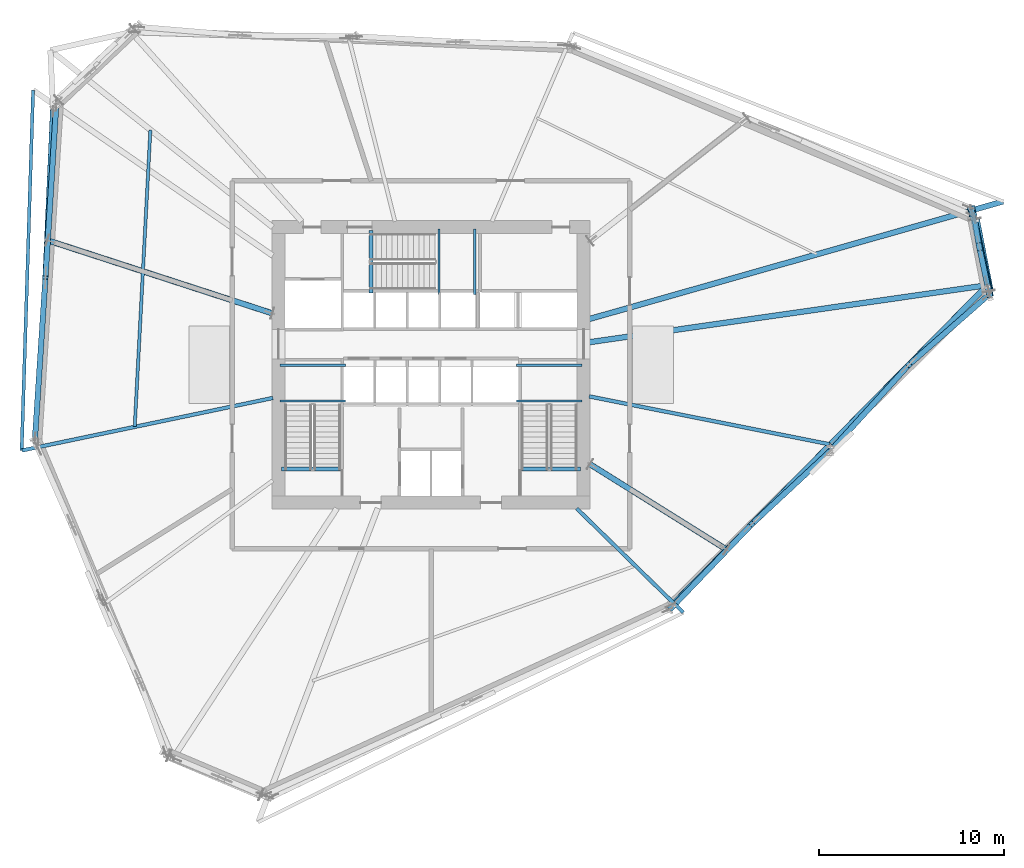
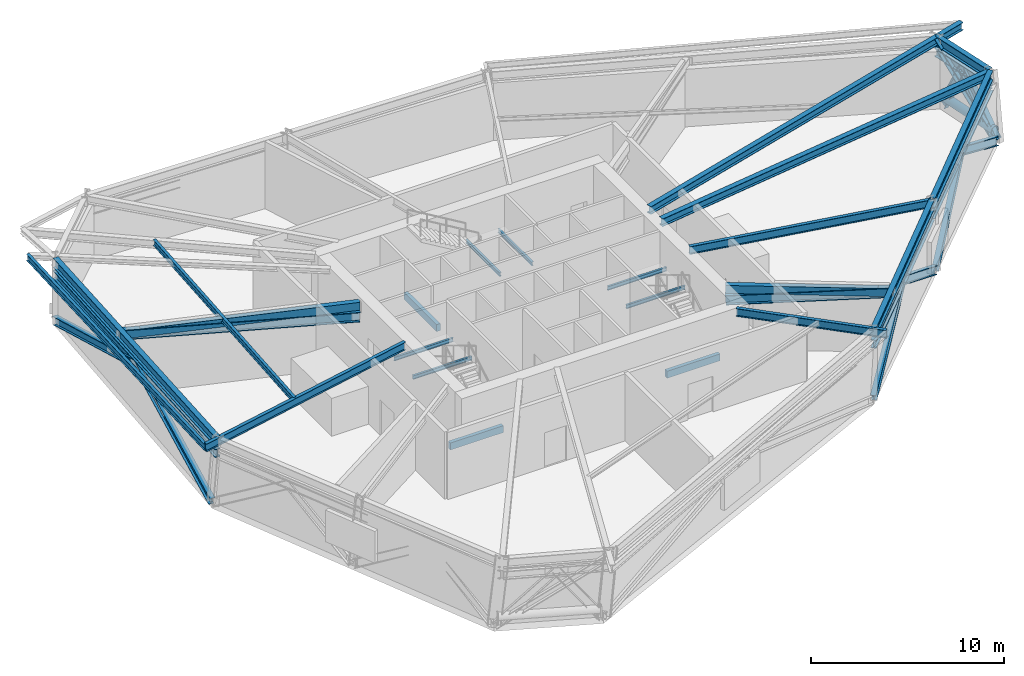
# One storey, part 2 of 15: 20 beams, 18 members.
"""IFC4 building model written with IfcOpenShell, lengths in metres."""

from ifc_helpers import new_model, si_unit, direction, frame, origin, origin_2d, place, context, subcontext, project, spatial, rectangle, hollow_rectangle, hollow_circle, i_section, extrude, source, transform, mapped, material, material_profile, profile_set, type_object, element, save


model = new_model("IFC4")

# Units and contexts
model_context = context("Model", 3, precision=1e-05, world=origin(), true_north=direction((0.0, 1.0)))
body_context = subcontext(model_context, "Body", "Model", "MODEL_VIEW")
ifc_project = project(units=[si_unit("LENGTHUNIT", "METRE"), si_unit("AREAUNIT", "SQUARE_METRE"), si_unit("VOLUMEUNIT", "CUBIC_METRE"), si_unit("PLANEANGLEUNIT", "RADIAN"), si_unit("MASSUNIT", "GRAM", prefix="KILO")], contexts=[model_context])

# Site, building, storey
site_placement = place(None, origin())
site = spatial("IfcSite", under=ifc_project, at=site_placement, CompositionType="ELEMENT")
building_placement = place(site_placement, origin())
building = spatial("IfcBuilding", under=site, at=building_placement, Name="Olszyna Solenne Hotel", CompositionType="ELEMENT")
storey_placement = place(building_placement, frame((0.0, 0.0, 79.89990234375)))
storey = spatial("IfcBuildingStorey", under=building, at=storey_placement, Name="L20", CompositionType="ELEMENT", Elevation=79.89990234375)

# Beams
ifc_material_1 = material(Name="Steel S355J2", Category="steel")
ifc_material_profile_1 = material_profile(ifc_material_1, i_section(OverallWidth=0.300048828125, OverallDepth=0.60009765625, WebThickness=0.015380859375, FlangeThickness=0.030029296875, at=origin_2d()), Name="HEB 600", Category="load-bearing")
ifc_profile_set_1 = profile_set([ifc_material_profile_1], Name="Steel S355J2")
beam_type_1 = type_object("IfcBeamType", Name="BM-S2", PredefinedType="BEAM", material=ifc_profile_set_1)
shared_shape_1 = source(origin(), body_context, "Body", "SweptSolid", [
    extrude(i_section(OverallWidth=0.300048828125, OverallDepth=0.60009765625, WebThickness=0.015380859375, FlangeThickness=0.030029296875, at=origin_2d()), origin(), (0.0, 0.0, 1.0), 4.12841796875),
])
beam_1_placement = place(storey_placement, frame((68.06884765625, 30.969970703125, 3.9501953125), z_axis=(-0.205375639046, 0.978683220908, 0.0), x_axis=(-0.978683220908, -0.205375639046, 0.0)))
element("IfcBeam", 1, at=beam_1_placement, inside=storey, type_object=beam_type_1, Name="Perimeter spandrel beam BM-S2 B-L20-0600", PredefinedType="BEAM", context=body_context, shape_type="MappedRepresentation", body=[
    mapped(shared_shape_1, transform((0.0, 0.0, 0.0), x_axis=(1.0, 0.0, 0.0), y_axis=(0.0, 1.0, 0.0), z_axis=(0.0, 0.0, 1.0), scale=1.0)),
])
shared_shape_2 = source(origin(), body_context, "Body", "SweptSolid", [
    extrude(i_section(OverallWidth=0.300048828125, OverallDepth=0.60009765625, WebThickness=0.015380859375, FlangeThickness=0.030029296875, at=origin_2d()), origin(), (0.0, 0.0, 1.0), 18.228271484375),
])
beam_2_placement = place(storey_placement, frame((17.564208984375, 40.425537109375, 3.9501953125), z_axis=(-0.045390649757, -0.9989693133, 0.0), x_axis=(0.9989693133, -0.045390649757, 0.0)))
element("IfcBeam", 2, at=beam_2_placement, inside=storey, type_object=beam_type_1, Name="Perimeter spandrel beam BM-S2 B-L20-0605", PredefinedType="BEAM", context=body_context, shape_type="MappedRepresentation", body=[
    mapped(shared_shape_2, transform((0.0, 0.0, 0.0), x_axis=(1.0, 0.0, 0.0), y_axis=(0.0, 1.0, 0.0), z_axis=(0.0, 0.0, 1.0), scale=1.0)),
])
shared_shape_3 = source(origin(), body_context, "Body", "SweptSolid", [
    extrude(i_section(OverallWidth=0.300048828125, OverallDepth=0.60009765625, WebThickness=0.015380859375, FlangeThickness=0.030029296875, at=origin_2d()), origin(), (0.0, 0.0, 1.0), 11.971923828125),
])
beam_3_placement = place(storey_placement, frame((51.147216796875, 13.729736328125, 3.9501953125), z_axis=(0.701959403136, 0.712216958763, 0.0), x_axis=(-0.712216958763, 0.701959403136, 0.0)))
element("IfcBeam", 3, at=beam_3_placement, inside=storey, type_object=beam_type_1, Name="Perimeter spandrel beam BM-S2 B-L20-0610", PredefinedType="BEAM", context=body_context, shape_type="MappedRepresentation", body=[
    mapped(shared_shape_3, transform((0.0, 0.0, 0.0), x_axis=(1.0, 0.0, 0.0), y_axis=(0.0, 1.0, 0.0), z_axis=(0.0, 0.0, 1.0), scale=1.0)),
])
shared_shape_4 = source(origin(), body_context, "Body", "SweptSolid", [
    extrude(i_section(OverallWidth=0.300048828125, OverallDepth=0.60009765625, WebThickness=0.015380859375, FlangeThickness=0.030029296875, at=origin_2d()), origin(), (0.0, 0.0, 1.0), 11.97216796875),
])
beam_4_placement = place(storey_placement, frame((59.63525390625, 22.341796875, 3.9501953125), z_axis=(0.701949207908, 0.712227007012, 0.0), x_axis=(-0.712227007012, 0.701949207908, 0.0)))
element("IfcBeam", 4, at=beam_4_placement, inside=storey, type_object=beam_type_1, Name="Perimeter spandrel beam BM-S2 B-L20-0611", PredefinedType="BEAM", context=body_context, shape_type="MappedRepresentation", body=[
    mapped(shared_shape_4, transform((0.0, 0.0, 0.0), x_axis=(1.0, 0.0, 0.0), y_axis=(0.0, 1.0, 0.0), z_axis=(0.0, 0.0, 1.0), scale=1.0)),
])
ifc_material_profile_2 = material_profile(ifc_material_1, i_section(OverallWidth=0.300048828125, OverallDepth=0.489990234375, WebThickness=0.011962890625, FlangeThickness=0.02294921875, at=origin_2d()), Name="HEA 500", Category="load-bearing")
ifc_profile_set_2 = profile_set([ifc_material_profile_2], Name="Steel S355J2")
beam_type_2 = type_object("IfcBeamType", Name="BM-G1", PredefinedType="BEAM", material=ifc_profile_set_2)
shared_shape_5 = source(origin(), body_context, "Body", "SweptSolid", [
    extrude(i_section(OverallWidth=0.300048828125, OverallDepth=0.489990234375, WebThickness=0.011962890625, FlangeThickness=0.02294921875, at=origin_2d()), origin(), (0.0, 0.0, 1.0), 21.690673828125),
])
beam_5_placement = place(storey_placement, frame((68.021728515625, 30.90283203125, 4.005126953125), z_axis=(-0.989884331589, -0.141876742543, 0.0), x_axis=(0.141876742543, -0.989884331589, 0.0)))
element("IfcBeam", 5, at=beam_5_placement, inside=storey, type_object=beam_type_2, Name="Radial floor girder BM-G1 B-L20-0612", PredefinedType="BEAM", context=body_context, shape_type="MappedRepresentation", body=[
    mapped(shared_shape_5, transform((0.0, 0.0, 0.0), x_axis=(1.0, 0.0, 0.0), y_axis=(0.0, 1.0, 0.0), z_axis=(0.0, 0.0, 1.0), scale=1.0)),
])
shared_shape_6 = source(origin(), body_context, "Body", "SweptSolid", [
    extrude(i_section(OverallWidth=0.300048828125, OverallDepth=0.489990234375, WebThickness=0.011962890625, FlangeThickness=0.02294921875, at=origin_2d()), origin(), (0.0, 0.0, 1.0), 23.2646484375),
])
beam_6_placement = place(storey_placement, frame((68.930908203125, 35.4375, 4.005126953125), z_axis=(-0.961932348, -0.27328768335, 0.0), x_axis=(0.27328768335, -0.961932348, 0.0)))
element("IfcBeam", 6, at=beam_6_placement, inside=storey, type_object=beam_type_2, Name="Radial floor girder BM-G1 B-L20-0613", PredefinedType="BEAM", context=body_context, shape_type="MappedRepresentation", body=[
    mapped(shared_shape_6, transform((0.0, 0.0, 0.0), x_axis=(1.0, 0.0, 0.0), y_axis=(0.0, 1.0, 0.0), z_axis=(0.0, 0.0, 1.0), scale=1.0)),
])
ifc_material_profile_3 = material_profile(ifc_material_1, i_section(OverallWidth=0.199951171875, OverallDepth=0.5, WebThickness=0.01025390625, FlangeThickness=0.01611328125, at=origin_2d()), Name="IPE 500", Category="load-bearing")
ifc_profile_set_3 = profile_set([ifc_material_profile_3], Name="Steel S355J2")
beam_type_3 = type_object("IfcBeamType", Name="BM-F3", PredefinedType="BEAM", material=ifc_profile_set_3)
shared_shape_7 = source(origin(), body_context, "Body", "SweptSolid", [
    extrude(i_section(OverallWidth=0.199951171875, OverallDepth=0.5, WebThickness=0.01025390625, FlangeThickness=0.01611328125, at=origin_2d()), origin(), (0.0, 0.0, 1.0), 13.859619140625),
])
beam_7_placement = place(storey_placement, frame((15.88330078125, 21.973388671875, 4.0), z_axis=(0.978786682195, 0.204881992272, 0.0), x_axis=(-0.204881992272, 0.978786682195, 0.0)))
element("IfcBeam", 7, at=beam_7_placement, inside=storey, type_object=beam_type_3, Name="Radial floor girder BM-F3 B-L20-0618", PredefinedType="BEAM", context=body_context, shape_type="MappedRepresentation", body=[
    mapped(shared_shape_7, transform((0.0, 0.0, 0.0), x_axis=(1.0, 0.0, 0.0), y_axis=(0.0, 1.0, 0.0), z_axis=(0.0, 0.0, 1.0), scale=1.0)),
])
shared_shape_8 = source(origin(), body_context, "Body", "SweptSolid", [
    extrude(i_section(OverallWidth=0.199951171875, OverallDepth=0.5, WebThickness=0.01025390625, FlangeThickness=0.01611328125, at=origin_2d()), origin(), (0.0, 0.0, 1.0), 8.0400390625),
])
beam_8_placement = place(storey_placement, frame((51.632568359375, 13.2177734375, 4.0), z_axis=(-0.715423125976, 0.698691456094, 0.0), x_axis=(-0.698691456094, -0.715423125976, 0.0)))
element("IfcBeam", 8, at=beam_8_placement, inside=storey, type_object=beam_type_3, Name="Radial floor girder BM-F3 B-L20-0622", PredefinedType="BEAM", context=body_context, shape_type="MappedRepresentation", body=[
    mapped(shared_shape_8, transform((0.0, 0.0, 0.0), x_axis=(1.0, 0.0, 0.0), y_axis=(0.0, 1.0, 0.0), z_axis=(0.0, 0.0, 1.0), scale=1.0)),
])
shared_shape_9 = source(origin(), body_context, "Body", "SweptSolid", [
    extrude(i_section(OverallWidth=0.199951171875, OverallDepth=0.5, WebThickness=0.01025390625, FlangeThickness=0.01611328125, at=origin_2d()), origin(), (0.0, 0.0, 1.0), 13.238525390625),
])
beam_9_placement = place(storey_placement, frame((59.534423828125, 22.310791015625, 4.0), z_axis=(-0.980736411519, 0.195335841873, 0.0), x_axis=(-0.195335841873, -0.980736411519, 0.0)))
element("IfcBeam", 9, at=beam_9_placement, inside=storey, type_object=beam_type_3, Name="Radial floor girder BM-F3 B-L20-0623", PredefinedType="BEAM", context=body_context, shape_type="MappedRepresentation", body=[
    mapped(shared_shape_9, transform((0.0, 0.0, 0.0), x_axis=(1.0, 0.0, 0.0), y_axis=(0.0, 1.0, 0.0), z_axis=(0.0, 0.0, 1.0), scale=1.0)),
])
ifc_material_profile_4 = material_profile(ifc_material_1, i_section(OverallWidth=0.169921875, OverallDepth=0.360107421875, WebThickness=0.008056640625, FlangeThickness=0.0126953125, at=origin_2d()), Name="IPE 360", Category="load-bearing")
ifc_profile_set_4 = profile_set([ifc_material_profile_4], Name="Steel S355J2")
beam_type_4 = type_object("IfcBeamType", Name="JS-01", PredefinedType="JOIST", material=ifc_profile_set_4)
shared_shape_10 = source(origin(), body_context, "Body", "SweptSolid", [
    extrude(i_section(OverallWidth=0.169921875, OverallDepth=0.360107421875, WebThickness=0.008056640625, FlangeThickness=0.0126953125, at=origin_2d()), origin(), (0.0, 0.0, 1.0), 16.045166015625),
])
beam_10_placement = place(storey_placement, frame((22.822998046875, 39.2919921875, 4.070068359375), z_axis=(-0.052661854681, -0.998612401816, 0.0), x_axis=(0.998612401816, -0.052661854681, 0.0)))
element("IfcBeam", 10, at=beam_10_placement, inside=storey, type_object=beam_type_4, Name="Secondary composite floor joist JS-01 B-L20-0628", PredefinedType="JOIST", context=body_context, shape_type="MappedRepresentation", body=[
    mapped(shared_shape_10, transform((0.0, 0.0, 0.0), x_axis=(1.0, 0.0, 0.0), y_axis=(0.0, 1.0, 0.0), z_axis=(0.0, 0.0, 1.0), scale=1.0)),
])
ifc_material_profile_5 = material_profile(ifc_material_1, i_section(OverallWidth=0.179931640625, OverallDepth=0.39990234375, WebThickness=0.008544921875, FlangeThickness=0.013427734375, at=origin_2d()), Name="IPE 400", Category="load-bearing")
ifc_profile_set_5 = profile_set([ifc_material_profile_5], Name="Steel S355J2")
beam_type_5 = type_object("IfcBeamType", Name="BM-F5", PredefinedType="BEAM", material=ifc_profile_set_5)
shared_shape_11 = source(origin(), body_context, "Body", "SweptSolid", [
    extrude(i_section(OverallWidth=0.179931640625, OverallDepth=0.39990234375, WebThickness=0.008544921875, FlangeThickness=0.013427734375, at=origin_2d()), origin(), (0.0, 0.0, 1.0), 19.492431640625),
])
beam_11_placement = place(storey_placement, frame((16.483642578125, 41.451904296875, 4.050048828125), z_axis=(-0.031813064302, -0.999493836369, 0.0), x_axis=(0.999493836369, -0.031813064302, 0.0)))
element("IfcBeam", 11, at=beam_11_placement, inside=storey, type_object=beam_type_5, Name="Loggia outer edge beam BM-F5 B-L20-0631", PredefinedType="BEAM", context=body_context, shape_type="MappedRepresentation", body=[
    mapped(shared_shape_11, transform((0.0, 0.0, 0.0), x_axis=(1.0, 0.0, 0.0), y_axis=(0.0, 1.0, 0.0), z_axis=(0.0, 0.0, 1.0), scale=1.0)),
])

# Members
ifc_material_2 = material(Name="Steel S460M", Category="steel")
ifc_material_profile_6 = material_profile(ifc_material_2, i_section(OverallWidth=0.406005859375, OverallDepth=0.416015625, WebThickness=0.026611328125, FlangeThickness=0.04150390625, at=origin_2d()), Name="HD 400x382", Category="load-bearing")
ifc_profile_set_6 = profile_set([ifc_material_profile_6], Name="Steel S460M")
member_type_1 = type_object("IfcMemberType", Name="BR-T2", PredefinedType="BRACE", material=ifc_profile_set_6)
shared_shape_12 = source(origin(), body_context, "Body", "SweptSolid", [
    extrude(i_section(OverallWidth=0.406005859375, OverallDepth=0.416015625, WebThickness=0.026611328125, FlangeThickness=0.04150390625, at=origin_2d()), origin(), (0.0, 0.0, 1.0), 6.147705078125),
])
member_1_placement = place(storey_placement, frame((68.192138671875, 30.42822265625, 0.010009765625), z_axis=(-0.159962335156, 0.754896730135, 0.636036931445), x_axis=(-0.978278105232, -0.207296765105, 0.0)))
element("IfcMember", 12, at=member_1_placement, inside=storey, type_object=member_type_1, Name="Perimeter braced-tube diagonal BR-T2 BR-L20-1", PredefinedType="BRACE", context=body_context, shape_type="MappedRepresentation", body=[
    mapped(shared_shape_12, transform((0.0, 0.0, 0.0), x_axis=(1.0, 0.0, 0.0), y_axis=(0.0, 1.0, 0.0), z_axis=(0.0, 0.0, 1.0), scale=1.0)),
])
ifc_material_profile_7 = material_profile(ifc_material_1, i_section(OverallWidth=0.305908203125, OverallDepth=0.52392578125, WebThickness=0.02099609375, FlangeThickness=0.0400390625, at=origin_2d()), Name="HEM 500", Category="load-bearing")
ifc_profile_set_7 = profile_set([ifc_material_profile_7], Name="Steel S355J2")
member_type_2 = type_object("IfcMemberType", Name="CH-TR1", PredefinedType="CHORD", material=ifc_profile_set_7)
shared_shape_13 = source(origin(), body_context, "Body", "SweptSolid", [
    extrude(i_section(OverallWidth=0.305908203125, OverallDepth=0.52392578125, WebThickness=0.02099609375, FlangeThickness=0.0400390625, at=origin_2d()), origin(), (0.0, 0.0, 1.0), 4.16845703125),
])
member_2_placement = place(storey_placement, frame((68.072998046875, 30.950439453125, 3.2001953125), z_axis=(-0.205399434049, 0.978678227249, 0.0), x_axis=(-0.978678227249, -0.205399434049, 0.0)))
element("IfcMember", 13, at=member_2_placement, inside=storey, type_object=member_type_2, Name="Belt truss upper chord CH-TR1 CH-L20-01", PredefinedType="CHORD", context=body_context, shape_type="MappedRepresentation", body=[
    mapped(shared_shape_13, transform((0.0, 0.0, 0.0), x_axis=(1.0, 0.0, 0.0), y_axis=(0.0, 1.0, 0.0), z_axis=(0.0, 0.0, 1.0), scale=1.0)),
])
ifc_material_profile_8 = material_profile(ifc_material_1, i_section(OverallWidth=0.300048828125, OverallDepth=0.5, WebThickness=0.014404296875, FlangeThickness=0.028076171875, at=origin_2d()), Name="HEB 500", Category="load-bearing")
ifc_profile_set_8 = profile_set([ifc_material_profile_8], Name="Steel S355J2")
member_type_3 = type_object("IfcMemberType", Name="BR-BL1", PredefinedType="BRACE", material=ifc_profile_set_8)
shared_shape_14 = source(origin(), body_context, "Body", "SweptSolid", [
    extrude(i_section(OverallWidth=0.300048828125, OverallDepth=0.5, WebThickness=0.014404296875, FlangeThickness=0.028076171875, at=origin_2d()), origin(), (0.0, 0.0, 1.0), 4.094970703125),
])
member_3_placement = place(storey_placement, frame((68.1845703125, 30.467529296875, 0.02001953125), z_axis=(-0.13175981168, 0.616051644385, 0.776607831197), x_axis=(-0.97788405069, -0.209147754962, 0.0)))
element("IfcMember", 14, at=member_3_placement, inside=storey, type_object=member_type_3, Name="Belt truss diagonal BR-BL1 BT-L20-01-1", PredefinedType="BRACE", context=body_context, shape_type="MappedRepresentation", body=[
    mapped(shared_shape_14, transform((0.0, 0.0, 0.0), x_axis=(1.0, 0.0, 0.0), y_axis=(0.0, 1.0, 0.0), z_axis=(0.0, 0.0, 1.0), scale=1.0)),
])
shared_shape_15 = source(origin(), body_context, "Body", "SweptSolid", [
    extrude(i_section(OverallWidth=0.300048828125, OverallDepth=0.5, WebThickness=0.014404296875, FlangeThickness=0.028076171875, at=origin_2d()), origin(), (0.0, 0.0, 1.0), 3.57275390625),
])
member_4_placement = place(storey_placement, frame((67.38525390625, 34.59765625, 0.02001953125), z_axis=(0.072706736458, -0.449907098535, 0.890110854423), x_axis=(0.987192413162, 0.159534132382, 0.0)))
element("IfcMember", 15, at=member_4_placement, inside=storey, type_object=member_type_3, Name="Belt truss diagonal BR-BL1 BT-L20-01-2", PredefinedType="BRACE", context=body_context, shape_type="MappedRepresentation", body=[
    mapped(shared_shape_15, transform((0.0, 0.0, 0.0), x_axis=(1.0, 0.0, 0.0), y_axis=(0.0, 1.0, 0.0), z_axis=(0.0, 0.0, 1.0), scale=1.0)),
])
shared_shape_16 = source(origin(), body_context, "Body", "SweptSolid", [
    extrude(i_section(OverallWidth=0.305908203125, OverallDepth=0.52392578125, WebThickness=0.02099609375, FlangeThickness=0.0400390625, at=origin_2d()), origin(), (0.0, 0.0, 1.0), 18.267822265625),
])
member_5_placement = place(storey_placement, frame((17.565185546875, 40.4453125, 3.2001953125), z_axis=(-0.04538583682, -0.998969531976, 0.0), x_axis=(0.998969531976, -0.04538583682, 0.0)))
element("IfcMember", 16, at=member_5_placement, inside=storey, type_object=member_type_2, Name="Belt truss upper chord CH-TR1 CH-L20-06", PredefinedType="CHORD", context=body_context, shape_type="MappedRepresentation", body=[
    mapped(shared_shape_16, transform((0.0, 0.0, 0.0), x_axis=(1.0, 0.0, 0.0), y_axis=(0.0, 1.0, 0.0), z_axis=(0.0, 0.0, 1.0), scale=1.0)),
])
shared_shape_17 = source(origin(), body_context, "Body", "SweptSolid", [
    extrude(i_section(OverallWidth=0.300048828125, OverallDepth=0.5, WebThickness=0.014404296875, FlangeThickness=0.028076171875, at=origin_2d()), origin(), (0.0, 0.0, 1.0), 9.983642578125),
])
member_6_placement = place(storey_placement, frame((17.740478515625, 40.76611328125, 0.02001953125), z_axis=(-0.059080351631, -0.946068147316, 0.318535041536), x_axis=(0.998055789306, -0.062326891723, 0.0)))
element("IfcMember", 17, at=member_6_placement, inside=storey, type_object=member_type_3, Name="Belt truss diagonal BR-BL1 BT-L20-06-1", PredefinedType="BRACE", context=body_context, shape_type="MappedRepresentation", body=[
    mapped(shared_shape_17, transform((0.0, 0.0, 0.0), x_axis=(1.0, 0.0, 0.0), y_axis=(0.0, 1.0, 0.0), z_axis=(0.0, 0.0, 1.0), scale=1.0)),
])
shared_shape_18 = source(origin(), body_context, "Body", "SweptSolid", [
    extrude(i_section(OverallWidth=0.300048828125, OverallDepth=0.5, WebThickness=0.014404296875, FlangeThickness=0.028076171875, at=origin_2d()), origin(), (0.0, 0.0, 1.0), 9.381103515625),
])
member_7_placement = place(storey_placement, frame((16.576904296875, 22.513916015625, 0.02001953125), z_axis=(0.0611585169, 0.938796246867, 0.339000357932), x_axis=(-0.997884750793, 0.065007877481, 0.0)))
element("IfcMember", 18, at=member_7_placement, inside=storey, type_object=member_type_3, Name="Belt truss diagonal BR-BL1 BT-L20-06-2", PredefinedType="BRACE", context=body_context, shape_type="MappedRepresentation", body=[
    mapped(shared_shape_18, transform((0.0, 0.0, 0.0), x_axis=(1.0, 0.0, 0.0), y_axis=(0.0, 1.0, 0.0), z_axis=(0.0, 0.0, 1.0), scale=1.0)),
])
shared_shape_19 = source(origin(), body_context, "Body", "SweptSolid", [
    extrude(i_section(OverallWidth=0.305908203125, OverallDepth=0.52392578125, WebThickness=0.02099609375, FlangeThickness=0.0400390625, at=origin_2d()), origin(), (0.0, 0.0, 1.0), 12.01171875),
])
for number, where, z_axis, x_axis, name in (
    (19, (51.13330078125, 13.715576171875, 3.2001953125), (0.701966317628, 0.712210143788, 0.0), (-0.712210143788, 0.701966317628, 0.0), "Belt truss upper chord CH-TR1 CH-L20-11"),
    (20, (59.621337890625, 22.32763671875, 3.2001953125), (0.701945846137, 0.712230320255, 0.0), (-0.712230320255, 0.701945846137, 0.0), "Belt truss upper chord CH-TR1 CH-L20-12"),
):
    element("IfcMember", number, at=place(storey_placement, frame(where, z_axis=z_axis, x_axis=x_axis)), inside=storey, type_object=member_type_2, Name=name, PredefinedType="CHORD", context=body_context, shape_type="MappedRepresentation", body=[
        mapped(shared_shape_19, transform((0.0, 0.0, 0.0), x_axis=(1.0, 0.0, 0.0), y_axis=(0.0, 1.0, 0.0), z_axis=(0.0, 0.0, 1.0), scale=1.0)),
    ])
shared_shape_20 = source(origin(), body_context, "Body", "SweptSolid", [
    extrude(i_section(OverallWidth=0.300048828125, OverallDepth=0.5, WebThickness=0.014404296875, FlangeThickness=0.028076171875, at=origin_2d()), origin(), (0.0, 0.0, 1.0), 7.060546875),
])
member_8_placement = place(storey_placement, frame((50.984130859375, 13.4453125, 0.02001953125), z_axis=(0.618233290355, 0.644132766527, 0.450422665707), x_axis=(-0.721462390426, 0.692453622419, 0.0)))
element("IfcMember", 21, at=member_8_placement, inside=storey, type_object=member_type_3, Name="Belt truss diagonal BR-BL1 BT-L20-11-1", PredefinedType="BRACE", context=body_context, shape_type="MappedRepresentation", body=[
    mapped(shared_shape_20, transform((0.0, 0.0, 0.0), x_axis=(1.0, 0.0, 0.0), y_axis=(0.0, 1.0, 0.0), z_axis=(0.0, 0.0, 1.0), scale=1.0)),
])
shared_shape_21 = source(origin(), body_context, "Body", "SweptSolid", [
    extrude(i_section(OverallWidth=0.300048828125, OverallDepth=0.5, WebThickness=0.014404296875, FlangeThickness=0.028076171875, at=origin_2d()), origin(), (0.0, 0.0, 1.0), 6.552978515625),
])
member_9_placement = place(storey_placement, frame((59.54541015625, 21.89453125, 0.02001953125), z_axis=(-0.640352450688, -0.595347461135, 0.485293869133), x_axis=(0.680902048942, -0.732374494194, 0.0)))
element("IfcMember", 22, at=member_9_placement, inside=storey, type_object=member_type_3, Name="Belt truss diagonal BR-BL1 BT-L20-11-2", PredefinedType="BRACE", context=body_context, shape_type="MappedRepresentation", body=[
    mapped(shared_shape_21, transform((0.0, 0.0, 0.0), x_axis=(1.0, 0.0, 0.0), y_axis=(0.0, 1.0, 0.0), z_axis=(0.0, 0.0, 1.0), scale=1.0)),
])
shared_shape_22 = source(origin(), body_context, "Body", "SweptSolid", [
    extrude(i_section(OverallWidth=0.300048828125, OverallDepth=0.5, WebThickness=0.014404296875, FlangeThickness=0.028076171875, at=origin_2d()), origin(), (0.0, 0.0, 1.0), 7.05078125),
])
member_10_placement = place(storey_placement, frame((59.602294921875, 21.95068359375, 0.02001953125), z_axis=(0.600630391939, 0.660153258522, 0.45104413037), x_axis=(-0.739666150399, 0.67297398609, 0.0)))
element("IfcMember", 23, at=member_10_placement, inside=storey, type_object=member_type_3, Name="Belt truss diagonal BR-BL1 BT-L20-12-1", PredefinedType="BRACE", context=body_context, shape_type="MappedRepresentation", body=[
    mapped(shared_shape_22, transform((0.0, 0.0, 0.0), x_axis=(1.0, 0.0, 0.0), y_axis=(0.0, 1.0, 0.0), z_axis=(0.0, 0.0, 1.0), scale=1.0)),
])
shared_shape_23 = source(origin(), body_context, "Body", "SweptSolid", [
    extrude(i_section(OverallWidth=0.300048828125, OverallDepth=0.5, WebThickness=0.014404296875, FlangeThickness=0.028076171875, at=origin_2d()), origin(), (0.0, 0.0, 1.0), 6.5751953125),
])
member_11_placement = place(storey_placement, frame((68.16357421875, 30.400146484375, 0.02001953125), z_axis=(-0.657993293629, -0.577159740205, 0.483664615023), x_axis=(0.659420152409, -0.751774608907, 0.0)))
element("IfcMember", 24, at=member_11_placement, inside=storey, type_object=member_type_3, Name="Belt truss diagonal BR-BL1 BT-L20-12-2", PredefinedType="BRACE", context=body_context, shape_type="MappedRepresentation", body=[
    mapped(shared_shape_23, transform((0.0, 0.0, 0.0), x_axis=(1.0, 0.0, 0.0), y_axis=(0.0, 1.0, 0.0), z_axis=(0.0, 0.0, 1.0), scale=1.0)),
])
ifc_material_profile_9 = material_profile(ifc_material_2, i_section(OverallWidth=0.304931640625, OverallDepth=0.6201171875, WebThickness=0.02099609375, FlangeThickness=0.0400390625, at=origin_2d()), Name="HEM 600", Category="load-bearing")
ifc_profile_set_9 = profile_set([ifc_material_profile_9], Name="Steel S460M")
member_type_4 = type_object("IfcMemberType", Name="BR-OU1", PredefinedType="BRACE", material=ifc_profile_set_9)
shared_shape_24 = source(origin(), body_context, "Body", "SweptSolid", [
    extrude(i_section(OverallWidth=0.304931640625, OverallDepth=0.6201171875, WebThickness=0.02099609375, FlangeThickness=0.0400390625, at=origin_2d()), origin(), (0.0, 0.0, 1.0), 8.718017578125),
])
member_12_placement = place(storey_placement, frame((46.60009765625, 21.22607421875, 3.10009765625), z_axis=(0.845306339175, -0.528214946812, 0.080287999815), x_axis=(0.529925701925, 0.848044073406, 0.0)))
element("IfcMember", 25, at=member_12_placement, inside=storey, type_object=member_type_4, Name="Outrigger truss brace BR-OU1 OU-L20-01", PredefinedType="BRACE", context=body_context, shape_type="MappedRepresentation", body=[
    mapped(shared_shape_24, transform((0.0, 0.0, 0.0), x_axis=(1.0, 0.0, 0.0), y_axis=(0.0, 1.0, 0.0), z_axis=(0.0, 0.0, 1.0), scale=1.0)),
])
ifc_material_profile_10 = material_profile(ifc_material_2, hollow_rectangle(XDim=0.300048828125, YDim=0.5, WallThickness=0.02490234375, at=origin_2d()), Name="RHS 500x300x25", Category="load-bearing")
ifc_profile_set_10 = profile_set([ifc_material_profile_10], Name="Steel S460M")
member_type_5 = type_object("IfcMemberType", Name="CH-OU1", PredefinedType="CHORD", material=ifc_profile_set_10)
shared_shape_25 = source(origin(), body_context, "Body", "SweptSolid", [
    extrude(hollow_rectangle(XDim=0.300048828125, YDim=0.5, WallThickness=0.02490234375, at=origin_2d()), origin(), (0.0, 0.0, 1.0), 8.68994140625),
])
member_13_placement = place(storey_placement, frame((46.60009765625, 21.22607421875, 3.800048828125), z_axis=(0.848044073406, -0.529925701925, 0.0), x_axis=(0.529925701925, 0.848044073406, 0.0)))
element("IfcMember", 26, at=member_13_placement, inside=storey, type_object=member_type_5, Name="Outrigger collector chord CH-OU1 OC-L20-01", PredefinedType="CHORD", context=body_context, shape_type="MappedRepresentation", body=[
    mapped(shared_shape_25, transform((0.0, 0.0, 0.0), x_axis=(1.0, 0.0, 0.0), y_axis=(0.0, 1.0, 0.0), z_axis=(0.0, 0.0, 1.0), scale=1.0)),
])
shared_shape_26 = source(origin(), body_context, "Body", "SweptSolid", [
    extrude(i_section(OverallWidth=0.304931640625, OverallDepth=0.6201171875, WebThickness=0.02099609375, FlangeThickness=0.0400390625, at=origin_2d()), origin(), (0.0, 0.0, 1.0), 12.7822265625),
])
member_14_placement = place(storey_placement, frame((29.39990234375, 29.394287109375, 3.10009765625), z_axis=(-0.949627747492, 0.308558825816, 0.054759402885), x_axis=(-0.309022489876, -0.951054730681, 0.0)))
element("IfcMember", 27, at=member_14_placement, inside=storey, type_object=member_type_4, Name="Outrigger truss brace BR-OU1 OU-L20-03", PredefinedType="BRACE", context=body_context, shape_type="MappedRepresentation", body=[
    mapped(shared_shape_26, transform((0.0, 0.0, 0.0), x_axis=(1.0, 0.0, 0.0), y_axis=(0.0, 1.0, 0.0), z_axis=(0.0, 0.0, 1.0), scale=1.0)),
])
shared_shape_27 = source(origin(), body_context, "Body", "SweptSolid", [
    extrude(hollow_rectangle(XDim=0.300048828125, YDim=0.5, WallThickness=0.02490234375, at=origin_2d()), origin(), (0.0, 0.0, 1.0), 12.76318359375),
])
member_15_placement = place(storey_placement, frame((29.39990234375, 29.394287109375, 3.800048828125), z_axis=(-0.951054730681, 0.309022489876, 0.0), x_axis=(-0.309022489876, -0.951054730681, 0.0)))
element("IfcMember", 28, at=member_15_placement, inside=storey, type_object=member_type_5, Name="Outrigger collector chord CH-OU1 OC-L20-03", PredefinedType="CHORD", context=body_context, shape_type="MappedRepresentation", body=[
    mapped(shared_shape_27, transform((0.0, 0.0, 0.0), x_axis=(1.0, 0.0, 0.0), y_axis=(0.0, 1.0, 0.0), z_axis=(0.0, 0.0, 1.0), scale=1.0)),
])
ifc_material_profile_11 = material_profile(ifc_material_1, hollow_circle(Radius=0.25390625, WallThickness=0.02001953125, at=origin_2d()), Name="CHS 508x20", Category="load-bearing")
ifc_profile_set_11 = profile_set([ifc_material_profile_11], Name="Steel S355J2")
member_type_6 = type_object("IfcMemberType", Name="BR-TB2", PredefinedType="BRACE", material=ifc_profile_set_11)
shared_shape_28 = source(origin(), body_context, "Body", "SweptSolid", [
    extrude(hollow_circle(Radius=0.25390625, WallThickness=0.02001953125, at=origin_2d()), origin(), (0.0, 0.0, 1.0), 3.9267578125),
])
member_16_placement = place(storey_placement, frame((68.157958984375, 30.60498046875, 0.550048828125), z_axis=(-0.190002574712, 0.981783592042, 0.0), x_axis=(-0.981783592042, -0.190002574712, 0.0)))
element("IfcMember", 29, at=member_16_placement, inside=storey, type_object=member_type_6, Name="Belt collar tie BR-TB2 CTB-L20-1", PredefinedType="BRACE", context=body_context, shape_type="MappedRepresentation", body=[
    mapped(shared_shape_28, transform((0.0, 0.0, 0.0), x_axis=(1.0, 0.0, 0.0), y_axis=(0.0, 1.0, 0.0), z_axis=(0.0, 0.0, 1.0), scale=1.0)),
])

# Beams
ifc_material_profile_12 = material_profile(ifc_material_1, i_section(OverallWidth=0.1201171875, OverallDepth=0.239990234375, WebThickness=0.006103515625, FlangeThickness=0.009765625, at=origin_2d()), Name="IPE 240", Category="load-bearing")
ifc_profile_set_12 = profile_set([ifc_material_profile_12], Name="Steel S355J2")
beam_type_6 = type_object("IfcBeamType", Name="JS-03", PredefinedType="JOIST", material=ifc_profile_set_12)
shared_shape_29 = source(origin(), body_context, "Body", "SweptSolid", [
    extrude(i_section(OverallWidth=0.1201171875, OverallDepth=0.239990234375, WebThickness=0.006103515625, FlangeThickness=0.009765625, at=origin_2d()), origin(), (0.0, 0.0, 1.0), 3.539794921875),
])
for number, where, z_axis, x_axis, name in (
    (30, (33.3798828125, 24.64990234375, 1.925048828125), (-1.0, 0.0, 0.0), (0.0, -1.0, 0.0), "Stair landing support beam JS-03 SLB-ST1-0045"),
    (31, (33.3798828125, 26.580078125, 1.925048828125), (-1.0, 0.0, 0.0), (0.0, -1.0, 0.0), "Stair landing support beam JS-03 SLB-ST1-0046"),
    (32, (46.159912109375, 24.64990234375, 1.925048828125), (-1.0, 0.0, 0.0), (0.0, -1.0, 0.0), "Stair landing support beam JS-03 SLB-ST2-0285"),
    (33, (46.159912109375, 26.580078125, 1.925048828125), (-1.0, 0.0, 0.0), (0.0, -1.0, 0.0), "Stair landing support beam JS-03 SLB-ST2-0286"),
):
    element("IfcBeam", number, at=place(storey_placement, frame(where, z_axis=z_axis, x_axis=x_axis)), inside=storey, type_object=beam_type_6, Name=name, PredefinedType="JOIST", context=body_context, shape_type="MappedRepresentation", body=[
        mapped(shared_shape_29, transform((0.0, 0.0, 0.0), x_axis=(1.0, 0.0, 0.0), y_axis=(0.0, 1.0, 0.0), z_axis=(0.0, 0.0, 1.0), scale=1.0)),
    ])
ifc_material_3 = material(Name="Concrete C50/60", Category="concrete")
ifc_material_profile_13 = material_profile(ifc_material_3, rectangle(XDim=0.219970703125, YDim=0.43994140625, at=origin_2d()), Name="RC 220x440", Category="load-bearing")
ifc_profile_set_13 = profile_set([ifc_material_profile_13], Name="Concrete C50/60")
beam_type_7 = type_object("IfcBeamType", Name="BM-ST1", PredefinedType="BEAM", material=ifc_profile_set_13)
shared_shape_30 = source(origin(), body_context, "Body", "SweptSolid", [
    extrude(rectangle(XDim=0.219970703125, YDim=0.43994140625, at=origin_2d()), origin(), (0.0, 0.0, 1.0), 3.18017578125),
])
for number, where, z_axis, x_axis, name in (
    (34, (33.10009765625, 20.97998046875, -0.204833984375), (-1.0, 0.0, 0.0), (0.0, -1.0, 0.0), "Concrete stair trimmer beam BM-ST1 SHB-ST1-0182"),
    (35, (46.080078125, 20.97998046875, -0.204833984375), (-1.0, 0.0, 0.0), (0.0, -1.0, 0.0), "Concrete stair trimmer beam BM-ST1 SHB-ST2-0422"),
):
    element("IfcBeam", number, at=place(storey_placement, frame(where, z_axis=z_axis, x_axis=x_axis)), inside=storey, type_object=beam_type_7, Name=name, PredefinedType="BEAM", context=body_context, shape_type="MappedRepresentation", body=[
        mapped(shared_shape_30, transform((0.0, 0.0, 0.0), x_axis=(1.0, 0.0, 0.0), y_axis=(0.0, 1.0, 0.0), z_axis=(0.0, 0.0, 1.0), scale=1.0)),
    ])
shared_shape_31 = source(origin(), body_context, "Body", "SweptSolid", [
    extrude(i_section(OverallWidth=0.1201171875, OverallDepth=0.239990234375, WebThickness=0.006103515625, FlangeThickness=0.009765625, at=origin_2d()), origin(), (0.0, 0.0, 1.0), 3.5400390625),
])
for number, where, z_axis, x_axis, name in (
    (36, (38.429931640625, 30.419921875, 1.925048828125), (0.0, 1.0, 0.0), (-1.0, 0.0, 0.0), "Stair landing support beam JS-03 SLB-ST3-0525"),
    (37, (40.360107421875, 30.419921875, 1.925048828125), (0.0, 1.0, 0.0), (-1.0, 0.0, 0.0), "Stair landing support beam JS-03 SLB-ST3-0526"),
):
    element("IfcBeam", number, at=place(storey_placement, frame(where, z_axis=z_axis, x_axis=x_axis)), inside=storey, type_object=beam_type_6, Name=name, PredefinedType="JOIST", context=body_context, shape_type="MappedRepresentation", body=[
        mapped(shared_shape_31, transform((0.0, 0.0, 0.0), x_axis=(1.0, 0.0, 0.0), y_axis=(0.0, 1.0, 0.0), z_axis=(0.0, 0.0, 1.0), scale=1.0)),
    ])
shared_shape_32 = source(origin(), body_context, "Body", "SweptSolid", [
    extrude(rectangle(XDim=0.219970703125, YDim=0.43994140625, at=origin_2d()), origin(), (0.0, 0.0, 1.0), 3.3798828125),
])
beam_12_placement = place(storey_placement, frame((34.760009765625, 30.5, -0.204833984375), z_axis=(0.0, 1.0, 0.0), x_axis=(-1.0, 0.0, 0.0)))
element("IfcBeam", 38, at=beam_12_placement, inside=storey, type_object=beam_type_7, Name="Concrete stair trimmer beam BM-ST1 SHB-ST3-0660", PredefinedType="BEAM", context=body_context, shape_type="MappedRepresentation", body=[
    mapped(shared_shape_32, transform((0.0, 0.0, 0.0), x_axis=(1.0, 0.0, 0.0), y_axis=(0.0, 1.0, 0.0), z_axis=(0.0, 0.0, 1.0), scale=1.0)),
])

save(model, "model.ifc")
